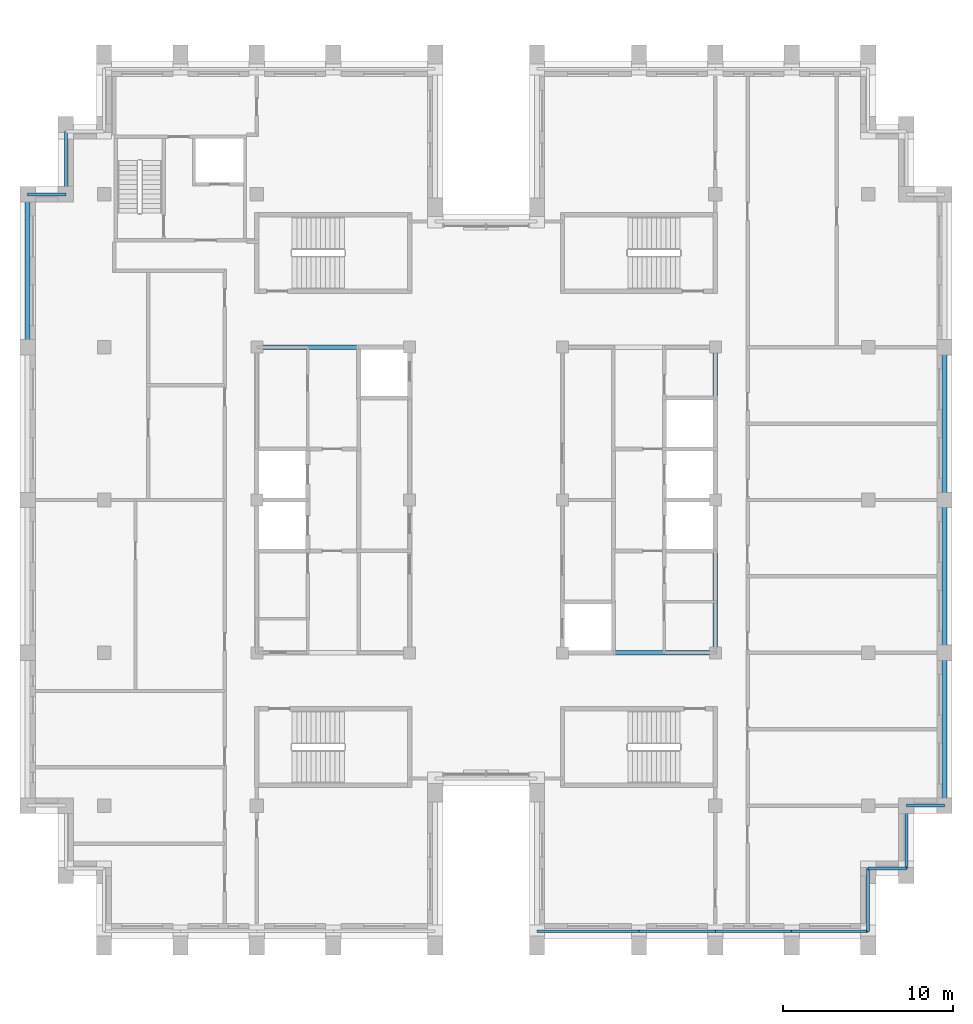
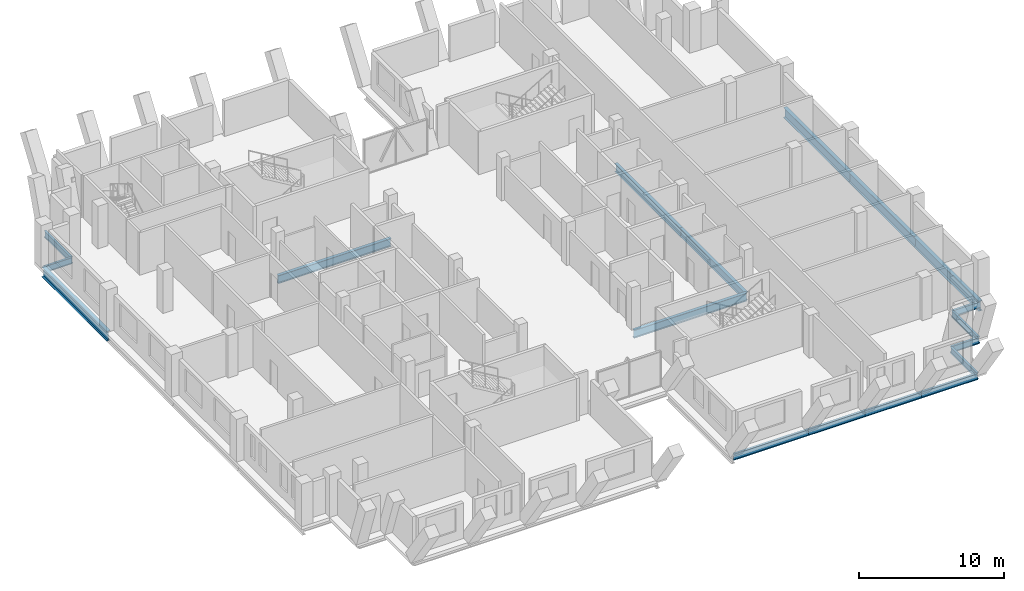
# One storey, part 3 of 13: 18 beams.
"""IFC4 building model written with IfcOpenShell, lengths in metres."""

from ifc_helpers import new_model, si_unit, direction, frame, origin, origin_2d, place, context, subcontext, project, spatial, i_section, extrude, material, material_profile, profile_set, type_object, element, save


model = new_model("IFC4")

# Units and contexts
model_context = context("Model", 3, precision=1e-05, world=origin(), true_north=direction((0.0, 1.0)))
body_context = subcontext(model_context, "Body", "Model", "MODEL_VIEW")
ifc_project = project(units=[si_unit("LENGTHUNIT", "METRE"), si_unit("AREAUNIT", "SQUARE_METRE"), si_unit("VOLUMEUNIT", "CUBIC_METRE"), si_unit("PLANEANGLEUNIT", "RADIAN"), si_unit("MASSUNIT", "GRAM", prefix="KILO")], contexts=[model_context])

# Site, building, storey
site_placement = place(None, origin())
site = spatial("IfcSite", under=ifc_project, at=site_placement, CompositionType="ELEMENT")
building_placement = place(site_placement, origin())
building = spatial("IfcBuilding", under=site, at=building_placement, Name="Corbelhall Arena Tower", CompositionType="ELEMENT")
storey_placement = place(building_placement, frame((0.0, 0.0, 346.0)))
storey = spatial("IfcBuildingStorey", under=building, at=storey_placement, Name="L76", CompositionType="ELEMENT", Elevation=346.0)

# Beams
ifc_material = material(Name="Steel ASTM A992 Gr50", Category="steel")
ifc_material_profile_1 = material_profile(ifc_material, i_section(OverallWidth=0.25390625, OverallDepth=0.67822265625, WebThickness=0.01171875, FlangeThickness=0.016357421875, at=origin_2d()))
ifc_profile_set_1 = profile_set([ifc_material_profile_1], Name="Steel ASTM A992 Gr50")
beam_type_1 = type_object("IfcBeamType", Name="ST-BEAM-W27x84", PredefinedType="BEAM", material=ifc_profile_set_1)
for number, where, z_axis, x_axis, name in (
    (1, (-13.5, 9.0, -0.59912109375), (1.0, 0.0, 0.0), (0.0, 1.0, 0.0), "Beam CEW 6"),
    (2, (13.5, -9.0, -0.59912109375), (0.0, 1.0, 0.0), (-1.0, 0.0, 0.0), "Beam CEE 9"),
    (3, (13.5, 0.0, -0.59912109375), (0.0, 1.0, 0.0), (-1.0, 0.0, 0.0), "Beam CEE 10"),
    (4, (4.5, -9.0, -0.59912109375), (1.0, 0.0, 0.0), (0.0, 1.0, 0.0), "Beam CEE 11"),
):
    element("IfcBeam", number, at=place(storey_placement, frame(where, z_axis=z_axis, x_axis=x_axis)), inside=storey, type_object=beam_type_1, Name=name, PredefinedType="BEAM", context=body_context, shape_type="SweptSolid", body=[
        extrude(i_section(OverallWidth=0.25390625, OverallDepth=0.67822265625, WebThickness=0.01171875, FlangeThickness=0.016357421875, at=origin_2d()), origin(), (0.0, 0.0, 1.0), 9.0),
    ])
ifc_material_profile_2 = material_profile(ifc_material, i_section(OverallWidth=0.16650390625, OverallDepth=0.535888671875, WebThickness=0.01025390625, FlangeThickness=0.0166015625, at=origin_2d()))
ifc_profile_set_2 = profile_set([ifc_material_profile_2], Name="Steel ASTM A992 Gr50")
beam_type_2 = type_object("IfcBeamType", Name="ST-SPANDREL-W21x57", PredefinedType="SPANDREL", material=ifc_profile_set_2)
beam_1_placement = place(storey_placement, frame((27.0, -18.0, -0.528076171875), z_axis=(-1.0, 0.0, 0.0), x_axis=(0.0, -1.0, 0.0)))
element("IfcBeam", 5, at=beam_1_placement, inside=storey, type_object=beam_type_2, Name="Beam SP 5", PredefinedType="SPANDREL", context=body_context, shape_type="SweptSolid", body=[
    extrude(i_section(OverallWidth=0.16650390625, OverallDepth=0.535888671875, WebThickness=0.01025390625, FlangeThickness=0.0166015625, at=origin_2d()), origin(), (0.0, 0.0, 1.0), 2.25),
])
beam_2_placement = place(storey_placement, frame((9.0, -25.39990234375, -0.528076171875), z_axis=(-1.0, 0.0, 0.0), x_axis=(0.0, -1.0, 0.0)))
element("IfcBeam", 6, at=beam_2_placement, inside=storey, type_object=beam_type_2, Name="Beam SP 17", PredefinedType="SPANDREL", context=body_context, shape_type="SweptSolid", body=[
    extrude(i_section(OverallWidth=0.16650390625, OverallDepth=0.535888671875, WebThickness=0.01025390625, FlangeThickness=0.0166015625, at=origin_2d()), origin(), (0.0, 0.0, 1.0), 6.0),
])
for number, where, z_axis, x_axis, name in (
    (7, (13.5, -25.39990234375, -0.528076171875), (-1.0, 0.0, 0.0), (0.0, -1.0, 0.0), "Beam SP 18"),
    (8, (18.0, -25.39990234375, -0.528076171875), (-1.0, 0.0, 0.0), (0.0, -1.0, 0.0), "Beam SP 19"),
    (9, (22.5, -25.39990234375, -0.528076171875), (-1.0, 0.0, 0.0), (0.0, -1.0, 0.0), "Beam SP 20"),
):
    element("IfcBeam", number, at=place(storey_placement, frame(where, z_axis=z_axis, x_axis=x_axis)), inside=storey, type_object=beam_type_2, Name=name, PredefinedType="SPANDREL", context=body_context, shape_type="SweptSolid", body=[
        extrude(i_section(OverallWidth=0.16650390625, OverallDepth=0.535888671875, WebThickness=0.01025390625, FlangeThickness=0.0166015625, at=origin_2d()), origin(), (0.0, 0.0, 1.0), 4.5),
    ])
beam_3_placement = place(storey_placement, frame((-27.0, 18.0, -0.528076171875), z_axis=(1.0, 0.0, 0.0), x_axis=(0.0, 1.0, 0.0)))
element("IfcBeam", 10, at=beam_3_placement, inside=storey, type_object=beam_type_2, Name="Beam SP 28", PredefinedType="SPANDREL", context=body_context, shape_type="SweptSolid", body=[
    extrude(i_section(OverallWidth=0.16650390625, OverallDepth=0.535888671875, WebThickness=0.01025390625, FlangeThickness=0.0166015625, at=origin_2d()), origin(), (0.0, 0.0, 1.0), 2.25),
])
for number, where, z_axis, x_axis, name in (
    (11, (-24.75, 18.0, -0.528076171875), (0.0, 1.0, 0.0), (-1.0, 0.0, 0.0), "Beam SP 40"),
    (12, (22.5, -21.699951171875, -0.528076171875), (0.0, -1.0, 0.0), (1.0, 0.0, 0.0), "Beam SP 41"),
):
    element("IfcBeam", number, at=place(storey_placement, frame(where, z_axis=z_axis, x_axis=x_axis)), inside=storey, type_object=beam_type_2, Name=name, PredefinedType="SPANDREL", context=body_context, shape_type="SweptSolid", body=[
        extrude(i_section(OverallWidth=0.16650390625, OverallDepth=0.535888671875, WebThickness=0.01025390625, FlangeThickness=0.0166015625, at=origin_2d()), origin(), (0.0, 0.0, 1.0), 3.699951171875),
    ])
beam_4_placement = place(storey_placement, frame((24.75, -21.699951171875, -0.528076171875), z_axis=(-1.0, 0.0, 0.0), x_axis=(0.0, -1.0, 0.0)))
element("IfcBeam", 13, at=beam_4_placement, inside=storey, type_object=beam_type_2, Name="Beam SP 42", PredefinedType="SPANDREL", context=body_context, shape_type="SweptSolid", body=[
    extrude(i_section(OverallWidth=0.16650390625, OverallDepth=0.535888671875, WebThickness=0.01025390625, FlangeThickness=0.0166015625, at=origin_2d()), origin(), (0.0, 0.0, 1.0), 2.25),
])
beam_5_placement = place(storey_placement, frame((24.75, -18.0, -0.528076171875), z_axis=(0.0, -1.0, 0.0), x_axis=(1.0, 0.0, 0.0)))
element("IfcBeam", 14, at=beam_5_placement, inside=storey, type_object=beam_type_2, Name="Beam SP 43", PredefinedType="SPANDREL", context=body_context, shape_type="SweptSolid", body=[
    extrude(i_section(OverallWidth=0.16650390625, OverallDepth=0.535888671875, WebThickness=0.01025390625, FlangeThickness=0.0166015625, at=origin_2d()), origin(), (0.0, 0.0, 1.0), 3.699951171875),
])
ifc_material_profile_3 = material_profile(ifc_material, i_section(OverallWidth=0.2919921875, OverallDepth=0.845703125, WebThickness=0.015380859375, FlangeThickness=0.0244140625, at=origin_2d()))
ifc_profile_set_3 = profile_set([ifc_material_profile_3], Name="Steel ASTM A992 Gr50")
beam_type_3 = type_object("IfcBeamType", Name="ST-SPANDREL-W33x141", PredefinedType="SPANDREL", material=ifc_profile_set_3)
for number, where, z_axis, x_axis, name in (
    (15, (27.0, 0.0, -0.682861328125), (0.0, -1.0, 0.0), (1.0, 0.0, 0.0), "Beam SP 1"),
    (16, (27.0, 9.0, -0.682861328125), (0.0, -1.0, 0.0), (1.0, 0.0, 0.0), "Beam SP 2"),
    (17, (27.0, -9.0, -0.682861328125), (0.0, -1.0, 0.0), (1.0, 0.0, 0.0), "Beam SP 4"),
    (18, (-27.0, 9.0, -0.682861328125), (0.0, 1.0, 0.0), (-1.0, 0.0, 0.0), "Beam SP 27"),
):
    element("IfcBeam", number, at=place(storey_placement, frame(where, z_axis=z_axis, x_axis=x_axis)), inside=storey, type_object=beam_type_3, Name=name, PredefinedType="SPANDREL", context=body_context, shape_type="SweptSolid", body=[
        extrude(i_section(OverallWidth=0.2919921875, OverallDepth=0.845703125, WebThickness=0.015380859375, FlangeThickness=0.0244140625, at=origin_2d()), origin(), (0.0, 0.0, 1.0), 9.0),
    ])

save(model, "model.ifc")
